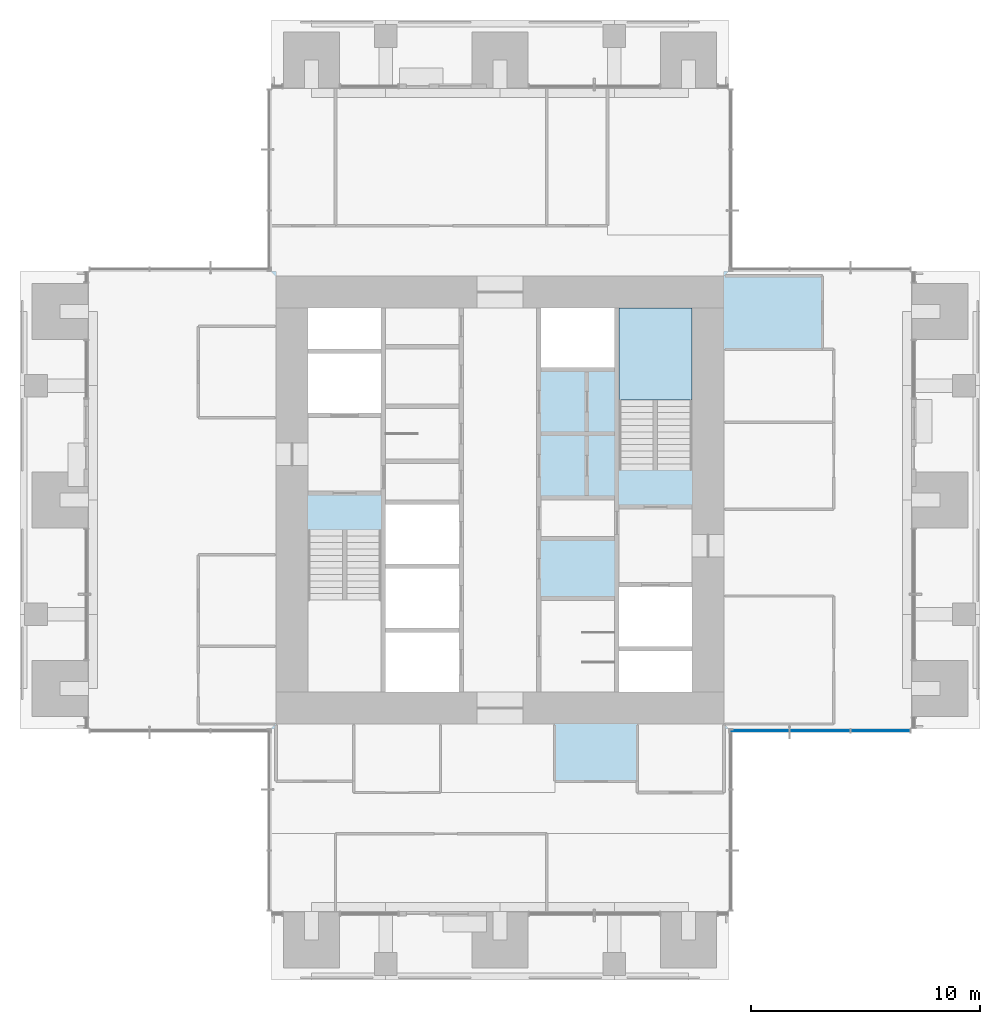
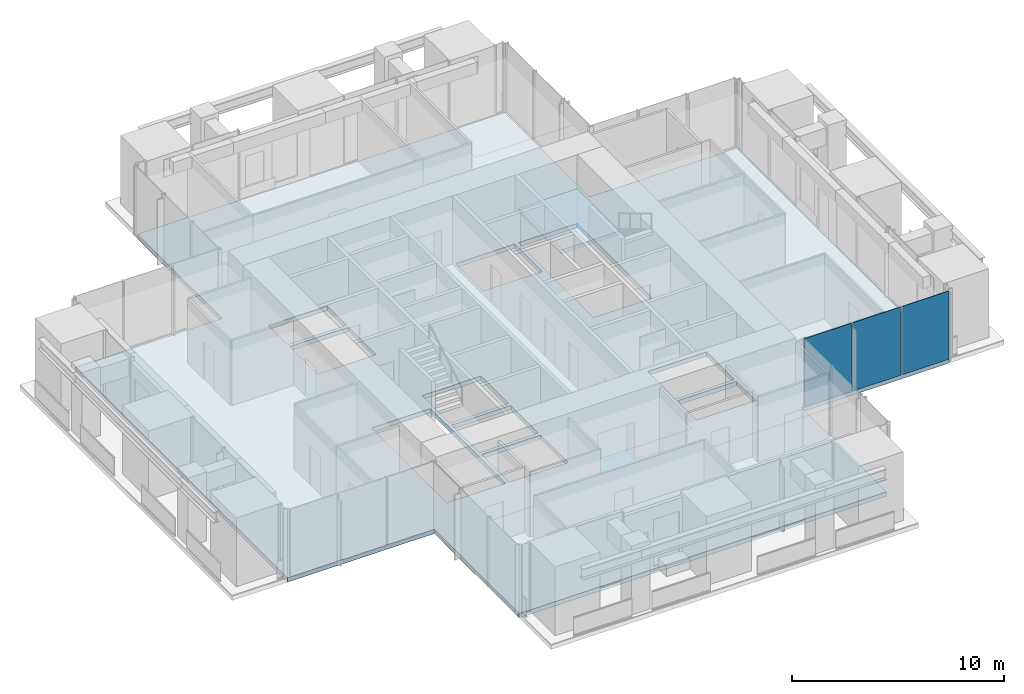
# One storey, part 9 of 17: 3 plates, 2 slabs, 2 elements without a shape of their own.
"""IFC4 building model written with IfcOpenShell, lengths in metres."""

from ifc_helpers import new_model, si_unit, direction, frame, origin, origin_2d, place, context, subcontext, project, spatial, polyline, rectangle, outline, extrude, material, layer, layer_set, type_object, element, aggregate, save


model = new_model("IFC4")

# Units and contexts
model_context = context("Model", 3, precision=1e-05, world=origin(), true_north=direction((0.0, 1.0)))
body_context = subcontext(model_context, "Body", "Model", "MODEL_VIEW")
ifc_project = project(units=[si_unit("LENGTHUNIT", "METRE"), si_unit("AREAUNIT", "SQUARE_METRE"), si_unit("VOLUMEUNIT", "CUBIC_METRE"), si_unit("PLANEANGLEUNIT", "RADIAN"), si_unit("MASSUNIT", "GRAM", prefix="KILO")], contexts=[model_context])

# Site, building, storey
site_placement = place(None, origin())
site = spatial("IfcSite", under=ifc_project, at=site_placement, CompositionType="ELEMENT")
building_placement = place(site_placement, origin())
building = spatial("IfcBuilding", under=site, at=building_placement, Name="Svetlomir Tower", CompositionType="ELEMENT")
storey_placement = place(building_placement, frame((0.0, 0.0, 190.5)))
storey = spatial("IfcBuildingStorey", under=building, at=storey_placement, Name="L45", CompositionType="ELEMENT", Elevation=190.5)

# Curtain wall, plates
ifc_material_1 = material(Name="Bronze anodised aluminium curtain wall", Category="aluminium")
curtain_wall_type = type_object("IfcCurtainWallType", Name="CURTAIN WALL CW1 TOWER OFFICE", PredefinedType="NOTDEFINED", material=ifc_material_1)
curtain_wall_placement = place(storey_placement, origin())
curtain_wall = element("IfcCurtainWall", 1, at=curtain_wall_placement, inside=storey, type_object=curtain_wall_type, Name="Curtain wall CW1 L45", PredefinedType="NOTDEFINED")
ifc_material_2 = material(Name="Tinted double glazed unit", Category="glass")
ifc_layer_1 = layer(ifc_material_2, 0.031982421875)
ifc_layer_set_1 = layer_set([ifc_layer_1], Name="Tinted double glazed unit")
plate_type = type_object("IfcPlateType", Name="CW1 GLAZED PANEL 32", PredefinedType="CURTAIN_PANEL", material=ifc_layer_set_1)
plate_1_placement = place(storey_placement, frame((32.349609375, 10.89990234375, 0.06494140625), z_axis=(0.0, 0.0, 1.0), x_axis=(1.0, 0.0, 0.0)))
plate_1 = element("IfcPlate", 2, at=plate_1_placement, type_object=plate_type, Name="CW1 panel 1.1", PredefinedType="CURTAIN_PANEL", context=body_context, shape_type="SweptSolid", body=[
    extrude(rectangle(XDim=2.569091796875, YDim=0.031982421875, at=origin_2d()), origin(), (0.0, 0.0, 1.0), 3.93505859375),
])
plate_2_placement = place(storey_placement, frame((35.0, 10.89990234375, 0.06494140625), z_axis=(0.0, 0.0, 1.0), x_axis=(1.0, 0.0, 0.0)))
plate_2 = element("IfcPlate", 3, at=plate_2_placement, type_object=plate_type, Name="CW1 panel 2.1", PredefinedType="CURTAIN_PANEL", context=body_context, shape_type="SweptSolid", body=[
    extrude(rectangle(XDim=2.6015625, YDim=0.031982421875, at=origin_2d()), origin(), (0.0, 0.0, 1.0), 3.93505859375),
])
plate_3_placement = place(storey_placement, frame((37.650390625, 10.89990234375, 0.06494140625), z_axis=(0.0, 0.0, 1.0), x_axis=(1.0, 0.0, 0.0)))
plate_3 = element("IfcPlate", 4, at=plate_3_placement, type_object=plate_type, Name="CW1 panel 3.1", PredefinedType="CURTAIN_PANEL", context=body_context, shape_type="SweptSolid", body=[
    extrude(rectangle(XDim=2.569091796875, YDim=0.031982421875, at=origin_2d()), origin(), (0.0, 0.0, 1.0), 3.93505859375),
])
aggregate(curtain_wall, [plate_1, plate_2, plate_3])

# Slab
ifc_material_3 = material(Name="Concrete C60/75", Category="concrete")
ifc_layer_2 = layer(ifc_material_3, 0.25)
ifc_layer_set_2 = layer_set([ifc_layer_2], Name="Concrete C60/75")
slab_type_1 = type_object("IfcSlabType", Name="FLOOR SLAB 250", PredefinedType="FLOOR", material=ifc_layer_set_2)
slab_1_placement = place(storey_placement, frame((0.0, 0.0, -0.25)))
element("IfcSlab", 5, at=slab_1_placement, inside=storey, type_object=slab_type_1, Name="L45 floor slab", PredefinedType="FLOOR", context=body_context, shape_type="SweptSolid", body=[
    extrude(outline(polyline([(11.0, 3.0), (31.0, 3.0), (31.0, 11.0), (39.0, 11.0), (39.0, 31.0), (31.0, 31.0), (31.0, 39.0), (11.0, 39.0), (11.0, 31.0), (3.0, 31.0), (3.0, 11.0), (11.0, 11.0), (11.0, 3.0)]), holes=[polyline([(12.60009765625, 24.800048828125), (15.800048828125, 24.800048828125), (15.800048828125, 27.39990234375), (12.60009765625, 27.39990234375), (12.60009765625, 24.800048828125)]), polyline([(26.199951171875, 14.60009765625), (29.39990234375, 14.60009765625), (29.39990234375, 17.199951171875), (26.199951171875, 17.199951171875), (26.199951171875, 14.60009765625)]), polyline([(16.0, 12.60009765625), (19.199951171875, 12.60009765625), (19.199951171875, 15.199951171875), (16.0, 15.199951171875), (16.0, 12.60009765625)]), polyline([(16.0, 15.39990234375), (19.199951171875, 15.39990234375), (19.199951171875, 18.0), (16.0, 18.0), (16.0, 15.39990234375)]), polyline([(16.0, 18.199951171875), (19.199951171875, 18.199951171875), (19.199951171875, 20.800048828125), (16.0, 20.800048828125), (16.0, 18.199951171875)]), polyline([(22.800048828125, 26.800048828125), (26.0, 26.800048828125), (26.0, 29.39990234375), (22.800048828125, 29.39990234375), (22.800048828125, 26.800048828125)]), polyline([(12.60009765625, 27.60009765625), (15.800048828125, 27.60009765625), (15.800048828125, 29.39990234375), (12.60009765625, 29.39990234375), (12.60009765625, 27.60009765625)]), polyline([(26.199951171875, 12.60009765625), (29.39990234375, 12.60009765625), (29.39990234375, 14.39990234375), (26.199951171875, 14.39990234375), (26.199951171875, 12.60009765625)]), polyline([(12.60009765625, 12.60009765625), (15.800048828125, 12.60009765625), (15.800048828125, 19.679931640625), (12.60009765625, 19.679931640625), (12.60009765625, 12.60009765625)]), polyline([(26.199951171875, 22.320068359375), (29.39990234375, 22.320068359375), (29.39990234375, 29.39990234375), (26.199951171875, 29.39990234375), (26.199951171875, 22.320068359375)])]), origin(), (0.0, 0.0, 1.0), 0.25),
])

# Stair, slab
ifc_material_4 = material(Name="Concrete C60/75", Category="concrete")
stair_type = type_object("IfcStairType", Name="EXIT STAIR 3200 RISE 4000", PredefinedType="HALF_TURN_STAIR", material=ifc_material_4)
stair_placement = place(storey_placement, origin())
stair = element("IfcStair", 6, at=stair_placement, inside=storey, type_object=stair_type, Name="Stair S2 L45 to L46", PredefinedType="HALF_TURN_STAIR")
ifc_material_5 = material(Name="Concrete C60/75", Category="concrete")
ifc_layer_3 = layer(ifc_material_5, 0.199951171875)
ifc_layer_set_3 = layer_set([ifc_layer_3], Name="Concrete C60/75")
slab_type_2 = type_object("IfcSlabType", Name="STAIR LANDING 200", PredefinedType="LANDING", material=ifc_layer_set_3)
slab_2_placement = place(storey_placement, frame((0.0, 0.0, 1.800048828125)))
slab_2 = element("IfcSlab", 7, at=slab_2_placement, type_object=slab_type_2, Name="S2 landing 1", PredefinedType="LANDING", context=body_context, shape_type="SweptSolid", body=[
    extrude(outline(polyline([(26.199951171875, 25.3798828125), (29.39990234375, 25.3798828125), (29.39990234375, 29.39990234375), (26.199951171875, 29.39990234375), (26.199951171875, 25.3798828125)])), origin(), (0.0, 0.0, 1.0), 0.199951171875),
])
aggregate(stair, [slab_2])

save(model, "model.ifc")
